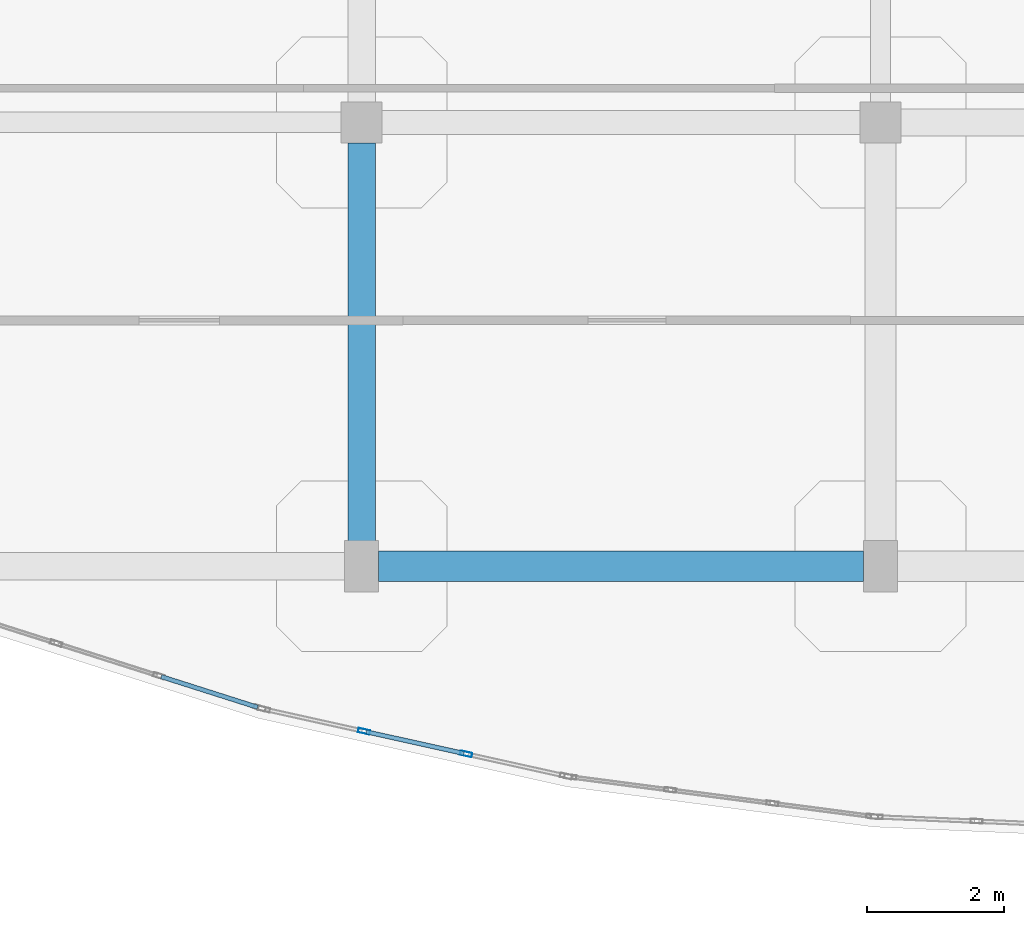
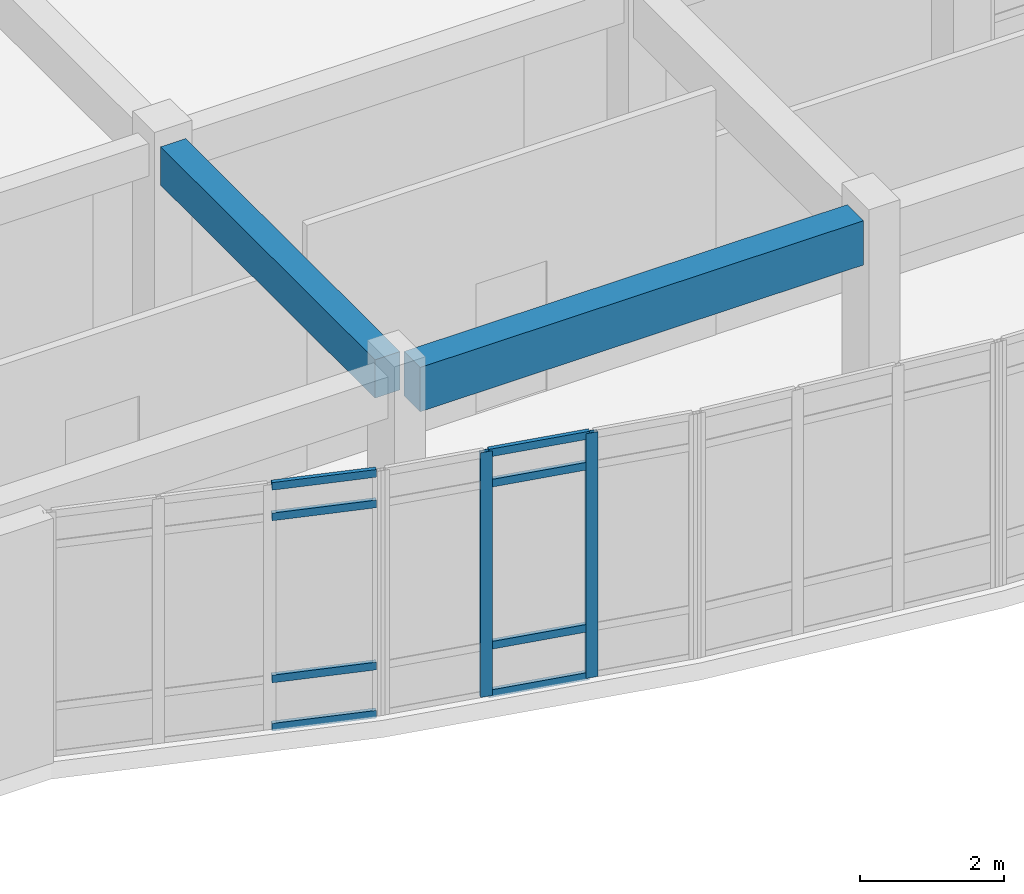
# One storey, part 78 of 142: 10 members, 2 beams, 2 elements without a shape of their own.
"""IFC4 building model written with IfcOpenShell, lengths in metres."""

import ifcopenshell
import ifcopenshell.guid

model = None  # the IFC model being written
_history = None  # IfcOwnerHistory: only IFC2X3 demands one
_inside = {}  # id of a spatial element -> (the spatial element, [elements in it])
_under = {}  # id of a project, library or spatial element -> (it, [spatial elements below it])
_declared = {}  # id of a project -> (the project, [libraries it declares])
_typed = {}  # id of a type object -> (the type object, [elements of that type])
_made_of = {}  # id of a material, layer set ... -> (it, [elements and type objects made of it])


def new_model(schema):
    """Start an empty IFC model of exactly this schema.

    Asked for "IFC4X3", IfcOpenShell would pick the latest addendum, in which some entities
    have other attributes; the version numbers below select the first issue.
    IFC2X3 requires an IfcOwnerHistory on every rooted entity: one is made here for all.
    """
    global model, _history
    if schema == "IFC4X3":
        model = ifcopenshell.file(schema_version=(4, 3, 0, 0))
    else:
        model = ifcopenshell.file(schema=schema)
    _inside.clear()
    _under.clear()
    _declared.clear()
    _typed.clear()
    _made_of.clear()
    _history = None
    if model.schema == "IFC2X3":
        org = make("IfcOrganization", Name="unknown")
        user = make(
            "IfcPersonAndOrganization",
            ThePerson=make("IfcPerson", FamilyName="unknown"),
            TheOrganization=org,
        )
        app = make(
            "IfcApplication",
            ApplicationDeveloper=org,
            Version="unknown",
            ApplicationFullName="unknown",
            ApplicationIdentifier="unknown",
        )
        _history = make(
            "IfcOwnerHistory",
            OwningUser=user,
            OwningApplication=app,
            ChangeAction="ADDED",
            CreationDate=0,
        )
    return model


def make(cls, **values):
    """One entity of the class cls with the attributes given. An attribute that is None is left unset."""
    return model.create_entity(
        cls, **{name: value for name, value in values.items() if value is not None}
    )


def rooted(cls, **values):
    """An entity with a GlobalId (a new one), such as an element, a storey or a relation."""
    return make(cls, GlobalId=ifcopenshell.guid.new(), OwnerHistory=_history, **values)


def si_unit(unit_type, name, prefix=None):
    """IfcSIUnit, for example si_unit("LENGTHUNIT", "METRE", prefix="MILLI")."""
    return make("IfcSIUnit", UnitType=unit_type, Prefix=prefix, Name=name)


def assignment(units):
    """IfcUnitAssignment: the units of a project."""
    return None if units is None else make("IfcUnitAssignment", Units=units)


def point(xyz):
    """IfcCartesianPoint."""
    return None if xyz is None else make("IfcCartesianPoint", Coordinates=xyz)


def direction(xyz):
    """IfcDirection."""
    return None if xyz is None else make("IfcDirection", DirectionRatios=xyz)


def frame(location, z_axis=None, x_axis=None):
    """IfcAxis2Placement3D, a coordinate frame: its origin and axes. An axis left out is left unset."""
    return make(
        "IfcAxis2Placement3D",
        Location=point(location),
        Axis=direction(z_axis),
        RefDirection=direction(x_axis),
    )


def frame_2d(location, x_axis=None):
    """IfcAxis2Placement2D, a coordinate frame in the plane: its origin and x axis."""
    return make(
        "IfcAxis2Placement2D", Location=point(location), RefDirection=direction(x_axis)
    )


def origin():
    """The frame at (0, 0, 0) with its axes left unset."""
    return frame((0.0, 0.0, 0.0))


def origin_2d():
    """The frame at (0, 0) in the plane with its x axis left unset."""
    return frame_2d((0.0, 0.0))


def place(relative_to, where):
    """IfcLocalPlacement: puts the frame where relative to a parent placement (None: the world)."""
    return make(
        "IfcLocalPlacement", PlacementRelTo=relative_to, RelativePlacement=where
    )


def context(
    kind, dimensions, precision=None, world=None, true_north=None, identifier=None
):
    """IfcGeometricRepresentationContext, for example the 3D "Model" context."""
    return make(
        "IfcGeometricRepresentationContext",
        ContextIdentifier=identifier,
        ContextType=kind,
        CoordinateSpaceDimension=dimensions,
        Precision=precision,
        WorldCoordinateSystem=world,
        TrueNorth=true_north,
    )


def subcontext(parent, identifier, kind, view, scale=None):
    """IfcGeometricRepresentationSubContext, for example "Body" below "Model"."""
    return make(
        "IfcGeometricRepresentationSubContext",
        ContextIdentifier=identifier,
        ContextType=kind,
        ParentContext=parent,
        TargetScale=scale,
        TargetView=view,
    )


def project(units=None, contexts=None):
    """IfcProject with its units and contexts."""
    return rooted(
        "IfcProject",
        Name="project",
        RepresentationContexts=contexts,
        UnitsInContext=assignment(units),
    )


def spatial(cls, under=None, at=None, **own):
    """A site, building, storey or space (cls), placed at a placement, below another one or the project."""
    s = rooted(cls, ObjectPlacement=at, **own)
    if under is not None:
        _under.setdefault(under.id(), (under, []))[1].append(s)
    return s


def profile(cls, at=None, kind="AREA", **sizes):
    """A parametric profile (cls). Its sizes go by their IFC names, for example OverallWidth=200.0."""
    return make(cls, ProfileType=kind, Position=at, **sizes)


def rectangle(**sizes):
    """IfcRectangleProfileDef."""
    return profile("IfcRectangleProfileDef", **sizes)


def hollow_rectangle(**sizes):
    """IfcRectangleHollowProfileDef."""
    return profile("IfcRectangleHollowProfileDef", **sizes)


def extrude(swept, where, along, depth):
    """IfcExtrudedAreaSolid: the profile swept, set in the frame where, extruded along a direction by depth."""
    return make(
        "IfcExtrudedAreaSolid",
        SweptArea=swept,
        Position=where,
        ExtrudedDirection=direction(along),
        Depth=depth,
    )


def shape(context_of_items, identifier, shape_type, items):
    """IfcShapeRepresentation: the items that make up one representation, for example the "Body"."""
    return make(
        "IfcShapeRepresentation",
        ContextOfItems=context_of_items,
        RepresentationIdentifier=identifier,
        RepresentationType=shape_type,
        Items=items,
    )


def material(Name=None, Category=None):
    """IfcMaterial."""
    return make("IfcMaterial", Name=Name, Category=Category)


def layer(
    of_material, thickness, ventilated=None, Name=None, Category=None, Priority=None
):
    """IfcMaterialLayer: one layer of a wall or slab, of a material (None: an air gap)."""
    return make(
        "IfcMaterialLayer",
        Material=of_material,
        LayerThickness=thickness,
        IsVentilated=ventilated,
        Name=Name,
        Category=Category,
        Priority=Priority,
    )


def layer_set(layers, Name=None):
    """IfcMaterialLayerSet."""
    return make("IfcMaterialLayerSet", MaterialLayers=layers, LayerSetName=Name)


def material_profile(
    of_material, cross_section, Name=None, Category=None, Priority=None
):
    """IfcMaterialProfile: a cross section and its material."""
    return make(
        "IfcMaterialProfile",
        Name=Name,
        Material=of_material,
        Profile=cross_section,
        Priority=Priority,
        Category=Category,
    )


def profile_set(profiles, Name=None, composite=None):
    """IfcMaterialProfileSet."""
    return make(
        "IfcMaterialProfileSet",
        Name=Name,
        MaterialProfiles=profiles,
        CompositeProfile=composite,
    )


def made_of(thing, what):
    """Note that an element or type object is made of a material, layer set ...; save() writes the relation."""
    if what is not None:
        _made_of.setdefault(what.id(), (what, []))[1].append(thing)
    return thing


def type_object(cls, material=None, **own):
    """A type object (cls), such as IfcWallType, which elements share."""
    return made_of(rooted(cls, **own), material)


def element(
    cls,
    number,
    at=None,
    inside=None,
    cuts=None,
    type_object=None,
    material=None,
    context=None,
    identifier="Body",
    shape_type=None,
    held_by="IfcProductDefinitionShape",
    body=None,
    shapes=None,
    **own,
):
    """One element of the class cls, such as IfcWall. Its Tag is "e" and its number.

    at: its placement. inside: the storey or other place that contains it. cuts: it is an
    opening in that element (IfcRelVoidsElement). A single representation is given by context,
    identifier, shape_type and body (its items); several are given by shapes. held_by: the class
    of the entity that holds the representations. save() writes the other relations.
    """
    e = rooted(cls, Tag="e%d" % number, ObjectPlacement=at, **own)
    if body is not None:
        shapes = [shape(context, identifier, shape_type, body)]
    if shapes is not None:
        e.Representation = make(held_by, Representations=shapes)
    if inside is not None:
        _inside.setdefault(inside.id(), (inside, []))[1].append(e)
    if cuts is not None:
        rooted(
            "IfcRelVoidsElement", RelatingBuildingElement=cuts, RelatedOpeningElement=e
        )
    if type_object is not None:
        _typed.setdefault(type_object.id(), (type_object, []))[1].append(e)
    return made_of(e, material)


def aggregate(whole, parts):
    """IfcRelAggregates: a whole, such as a stair, and the parts it consists of."""
    return rooted("IfcRelAggregates", RelatingObject=whole, RelatedObjects=parts)


def save(model, path):
    """Write the relations noted so far, then the file.

    IfcRelAggregates (storeys below a building ...), IfcRelContainedInSpatialStructure (elements
    in a storey), IfcRelDefinesByType, IfcRelAssociatesMaterial and IfcRelDeclares: one each for
    every whole, place, type object, material and project.
    """
    for whole, parts in _under.values():
        aggregate(whole, parts)
    for where, things in _inside.values():
        rooted(
            "IfcRelContainedInSpatialStructure",
            RelatedElements=things,
            RelatingStructure=where,
        )
    for kind, things in _typed.values():
        rooted("IfcRelDefinesByType", RelatedObjects=things, RelatingType=kind)
    for what, things in _made_of.values():
        rooted("IfcRelAssociatesMaterial", RelatedObjects=things, RelatingMaterial=what)
    for by, libraries in _declared.values():
        rooted("IfcRelDeclares", RelatingContext=by, RelatedDefinitions=libraries)
    model.write(path)


model = new_model("IFC4")

# Units and contexts
model_context = context("Model", 3, precision=1e-05, world=origin(), true_north=direction((0.0, 1.0)))
body_context = subcontext(model_context, "Body", "Model", "MODEL_VIEW")
ifc_project = project(units=[si_unit("LENGTHUNIT", "METRE"), si_unit("AREAUNIT", "SQUARE_METRE"), si_unit("VOLUMEUNIT", "CUBIC_METRE"), si_unit("PLANEANGLEUNIT", "RADIAN"), si_unit("MASSUNIT", "GRAM", prefix="KILO")], contexts=[model_context])

# Site, building, storey
site_placement = place(None, origin())
site = spatial("IfcSite", under=ifc_project, at=site_placement, CompositionType="ELEMENT")
building_placement = place(site_placement, origin())
building = spatial("IfcBuilding", under=site, at=building_placement, Name="Valcora Specialist Clinic", CompositionType="ELEMENT")
storey_placement = place(building_placement, frame((0.0, 0.0, 5.10009765625)))
storey = spatial("IfcBuildingStorey", under=building, at=storey_placement, Name="L01", CompositionType="ELEMENT", Elevation=5.10009765625)

# Beams
ifc_material_1 = material(Name="Concrete C40/50", Category="concrete")
ifc_material_profile_1 = material_profile(ifc_material_1, rectangle(XDim=0.39990234375, YDim=0.64990234375, at=origin_2d()), Name="RC-BM-400X650")
ifc_profile_set_1 = profile_set([ifc_material_profile_1], Name="Concrete C40/50")
beam_type_1 = type_object("IfcBeamType", Name="TY-BM-RC400X650", PredefinedType="BEAM", material=ifc_profile_set_1)
beam_1_placement = place(storey_placement, frame((98.39990234375, 75.050048828125, 3.81982421875), z_axis=(0.0, 1.0, 0.0), x_axis=(-1.0, 0.0, 0.0)))
element("IfcBeam", 1, at=beam_1_placement, inside=storey, type_object=beam_type_1, Name="Beam BM-L01-0673", PredefinedType="BEAM", context=body_context, shape_type="SweptSolid", body=[
    extrude(rectangle(XDim=0.39990234375, YDim=0.64990234375, at=origin_2d()), origin(), (0.0, 0.0, 1.0), 5.949951171875),
])
ifc_material_profile_2 = material_profile(ifc_material_1, rectangle(XDim=0.449951171875, YDim=0.75, at=origin_2d()), Name="RC-BM-450X750")
ifc_profile_set_2 = profile_set([ifc_material_profile_2], Name="Concrete C40/50")
beam_type_2 = type_object("IfcBeamType", Name="TY-BM-RC450X750", PredefinedType="BEAM", material=ifc_profile_set_2)
beam_2_placement = place(storey_placement, frame((98.64990234375, 74.800048828125, 3.77001953125), z_axis=(1.0, 0.0, 0.0), x_axis=(0.0, 1.0, 0.0)))
element("IfcBeam", 2, at=beam_2_placement, inside=storey, type_object=beam_type_2, Name="Beam BM-L01-0617", PredefinedType="BEAM", context=body_context, shape_type="SweptSolid", body=[
    extrude(rectangle(XDim=0.449951171875, YDim=0.75, at=origin_2d()), origin(), (0.0, 0.0, 1.0), 7.10009765625),
])

# Curtain wall, members
ifc_material_2 = material(Name="Anodized Bronze Aluminium 6063-T6", Category="aluminium")
ifc_layer = layer(ifc_material_2, 0.175048828125)
ifc_layer_set = layer_set([ifc_layer], Name="Anodized Bronze Aluminium 6063-T6")
curtain_wall_type = type_object("IfcCurtainWallType", Name="TY-CW-ARC44", PredefinedType="NOTDEFINED", material=ifc_layer_set)
curtain_wall_1_placement = place(storey_placement, origin())
curtain_wall_1 = element("IfcCurtainWall", 3, at=curtain_wall_1_placement, inside=storey, type_object=curtain_wall_type, Name="Curtain wall CW-L01-059", PredefinedType="NOTDEFINED")
ifc_material_profile_3 = material_profile(ifc_material_2, hollow_rectangle(XDim=0.06494140625, YDim=0.175048828125, WallThickness=0.00390625, at=origin_2d()), Name="AL-MUL-65X175")
ifc_profile_set_3 = profile_set([ifc_material_profile_3], Name="Anodized Bronze Aluminium 6063-T6")
member_type_1 = type_object("IfcMemberType", Name="TY-CWM-65X175", PredefinedType="MULLION", material=ifc_profile_set_3)
member_1_placement = place(storey_placement, frame((99.930419921875, 72.049560546875, 0.0), z_axis=(0.0, 0.0, 1.0), x_axis=(-0.216518052372, -0.976278614432, 0.0)))
member_1 = element("IfcMember", 4, at=member_1_placement, type_object=member_type_1, Name="CW-ARC-44 mullion 2", PredefinedType="MULLION", context=body_context, shape_type="SweptSolid", body=[
    extrude(hollow_rectangle(XDim=0.06494140625, YDim=0.175048828125, WallThickness=0.00390625, at=origin_2d()), origin(), (0.0, 0.0, 1.0), 4.14501953125),
])
member_2_placement = place(storey_placement, frame((98.434814453125, 72.38134765625, 0.0), z_axis=(0.0, 0.0, 1.0), x_axis=(-0.216518052372, -0.976278614432, 0.0)))
member_2 = element("IfcMember", 5, at=member_2_placement, type_object=member_type_1, Name="CW-ARC-44 mullion 3", PredefinedType="MULLION", context=body_context, shape_type="SweptSolid", body=[
    extrude(hollow_rectangle(XDim=0.06494140625, YDim=0.175048828125, WallThickness=0.00390625, at=origin_2d()), origin(), (0.0, 0.0, 1.0), 4.14501953125),
])
ifc_material_profile_4 = material_profile(ifc_material_2, hollow_rectangle(XDim=0.06494140625, YDim=0.1298828125, WallThickness=0.00390625, at=origin_2d()), Name="AL-TRN-65X130")
ifc_profile_set_4 = profile_set([ifc_material_profile_4], Name="Anodized Bronze Aluminium 6063-T6")
member_type_2 = type_object("IfcMemberType", Name="TY-CWT-65X130", PredefinedType="USERDEFINED", material=ifc_profile_set_4)
member_3_placement = place(storey_placement, frame((99.898681640625, 72.056640625, 0.032470703125), z_axis=(-0.976277043921, 0.216525133676, 0.0), x_axis=(-0.216525133676, -0.976277043921, 0.0)))
member_3 = element("IfcMember", 6, at=member_3_placement, type_object=member_type_2, Name="CW-ARC-44 transom 2.1", ObjectType="TRANSOM", PredefinedType="USERDEFINED", context=body_context, shape_type="SweptSolid", body=[
    extrude(hollow_rectangle(XDim=0.06494140625, YDim=0.1298828125, WallThickness=0.00390625, at=origin_2d()), origin(), (0.0, 0.0, 1.0), 1.467041015625),
])
member_4_placement = place(storey_placement, frame((99.898681640625, 72.056640625, 0.849853515625), z_axis=(-0.976277043921, 0.216525133676, 0.0), x_axis=(-0.216525133676, -0.976277043921, 0.0)))
member_4 = element("IfcMember", 7, at=member_4_placement, type_object=member_type_2, Name="CW-ARC-44 transom 2.2", ObjectType="TRANSOM", PredefinedType="USERDEFINED", context=body_context, shape_type="SweptSolid", body=[
    extrude(hollow_rectangle(XDim=0.06494140625, YDim=0.1298828125, WallThickness=0.00390625, at=origin_2d()), origin(), (0.0, 0.0, 1.0), 1.467041015625),
])
member_5_placement = place(storey_placement, frame((99.898681640625, 72.056640625, 3.594970703125), z_axis=(-0.976277043921, 0.216525133676, 0.0), x_axis=(-0.216525133676, -0.976277043921, 0.0)))
member_5 = element("IfcMember", 8, at=member_5_placement, type_object=member_type_2, Name="CW-ARC-44 transom 2.3", ObjectType="TRANSOM", PredefinedType="USERDEFINED", context=body_context, shape_type="SweptSolid", body=[
    extrude(hollow_rectangle(XDim=0.06494140625, YDim=0.1298828125, WallThickness=0.00390625, at=origin_2d()), origin(), (0.0, 0.0, 1.0), 1.467041015625),
])
member_6_placement = place(storey_placement, frame((99.898681640625, 72.056640625, 4.1123046875), z_axis=(-0.976277043921, 0.216525133676, 0.0), x_axis=(-0.216525133676, -0.976277043921, 0.0)))
member_6 = element("IfcMember", 9, at=member_6_placement, type_object=member_type_2, Name="CW-ARC-44 transom 2.4", ObjectType="TRANSOM", PredefinedType="USERDEFINED", context=body_context, shape_type="SweptSolid", body=[
    extrude(hollow_rectangle(XDim=0.06494140625, YDim=0.1298828125, WallThickness=0.00390625, at=origin_2d()), origin(), (0.0, 0.0, 1.0), 1.467041015625),
])
aggregate(curtain_wall_1, [member_1, member_2, member_3, member_4, member_5, member_6])

curtain_wall_2_placement = place(storey_placement, origin())
curtain_wall_2 = element("IfcCurtainWall", 10, at=curtain_wall_2_placement, inside=storey, type_object=curtain_wall_type, Name="Curtain wall CW-L01-060", PredefinedType="NOTDEFINED")
member_7_placement = place(storey_placement, frame((96.877197265625, 72.732666015625, 0.032470703125), z_axis=(-0.952910635624, 0.303251249816, 0.0), x_axis=(-0.303251249816, -0.952910635624, 0.0)))
member_7 = element("IfcMember", 11, at=member_7_placement, type_object=member_type_2, Name="CW-ARC-44 transom 1.1", ObjectType="TRANSOM", PredefinedType="USERDEFINED", context=body_context, shape_type="SweptSolid", body=[
    extrude(hollow_rectangle(XDim=0.06494140625, YDim=0.1298828125, WallThickness=0.00390625, at=origin_2d()), origin(), (0.0, 0.0, 1.0), 1.482177734375),
])
member_8_placement = place(storey_placement, frame((96.877197265625, 72.732666015625, 0.849853515625), z_axis=(-0.952910635624, 0.303251249816, 0.0), x_axis=(-0.303251249816, -0.952910635624, 0.0)))
member_8 = element("IfcMember", 12, at=member_8_placement, type_object=member_type_2, Name="CW-ARC-44 transom 1.2", ObjectType="TRANSOM", PredefinedType="USERDEFINED", context=body_context, shape_type="SweptSolid", body=[
    extrude(hollow_rectangle(XDim=0.06494140625, YDim=0.1298828125, WallThickness=0.00390625, at=origin_2d()), origin(), (0.0, 0.0, 1.0), 1.482177734375),
])
member_9_placement = place(storey_placement, frame((96.877197265625, 72.732666015625, 3.594970703125), z_axis=(-0.952910635624, 0.303251249816, 0.0), x_axis=(-0.303251249816, -0.952910635624, 0.0)))
member_9 = element("IfcMember", 13, at=member_9_placement, type_object=member_type_2, Name="CW-ARC-44 transom 1.3", ObjectType="TRANSOM", PredefinedType="USERDEFINED", context=body_context, shape_type="SweptSolid", body=[
    extrude(hollow_rectangle(XDim=0.06494140625, YDim=0.1298828125, WallThickness=0.00390625, at=origin_2d()), origin(), (0.0, 0.0, 1.0), 1.482177734375),
])
member_10_placement = place(storey_placement, frame((96.877197265625, 72.732666015625, 4.1123046875), z_axis=(-0.952910635624, 0.303251249816, 0.0), x_axis=(-0.303251249816, -0.952910635624, 0.0)))
member_10 = element("IfcMember", 14, at=member_10_placement, type_object=member_type_2, Name="CW-ARC-44 transom 1.4", ObjectType="TRANSOM", PredefinedType="USERDEFINED", context=body_context, shape_type="SweptSolid", body=[
    extrude(hollow_rectangle(XDim=0.06494140625, YDim=0.1298828125, WallThickness=0.00390625, at=origin_2d()), origin(), (0.0, 0.0, 1.0), 1.482177734375),
])
aggregate(curtain_wall_2, [member_7, member_8, member_9, member_10])

save(model, "model.ifc")
